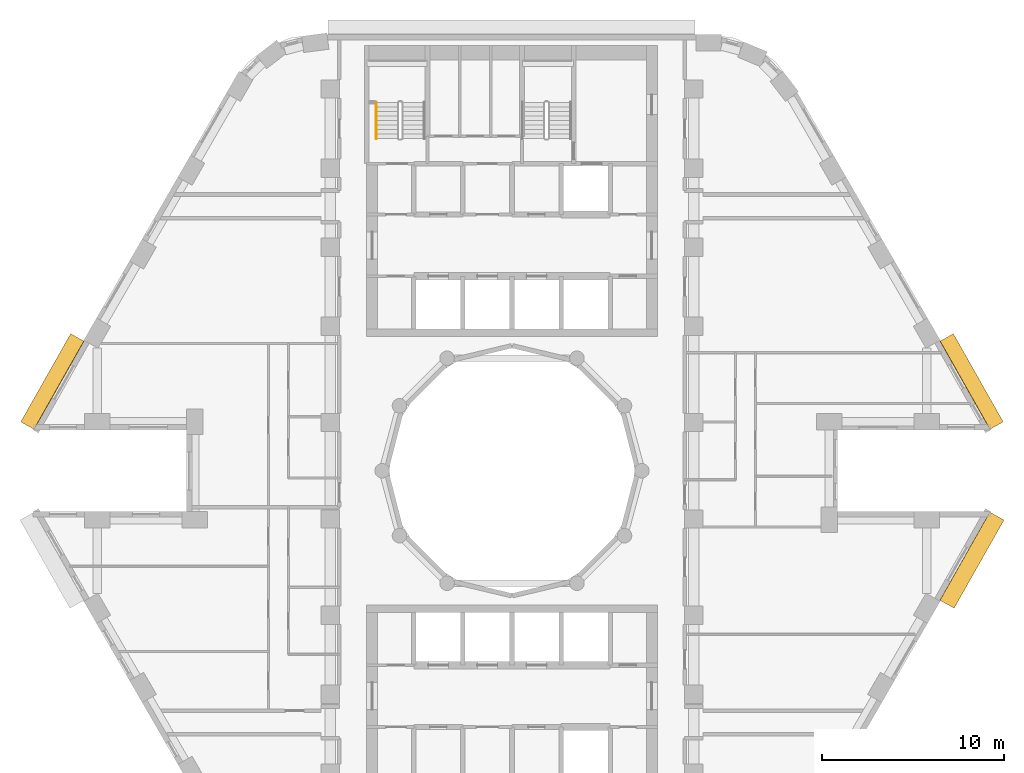
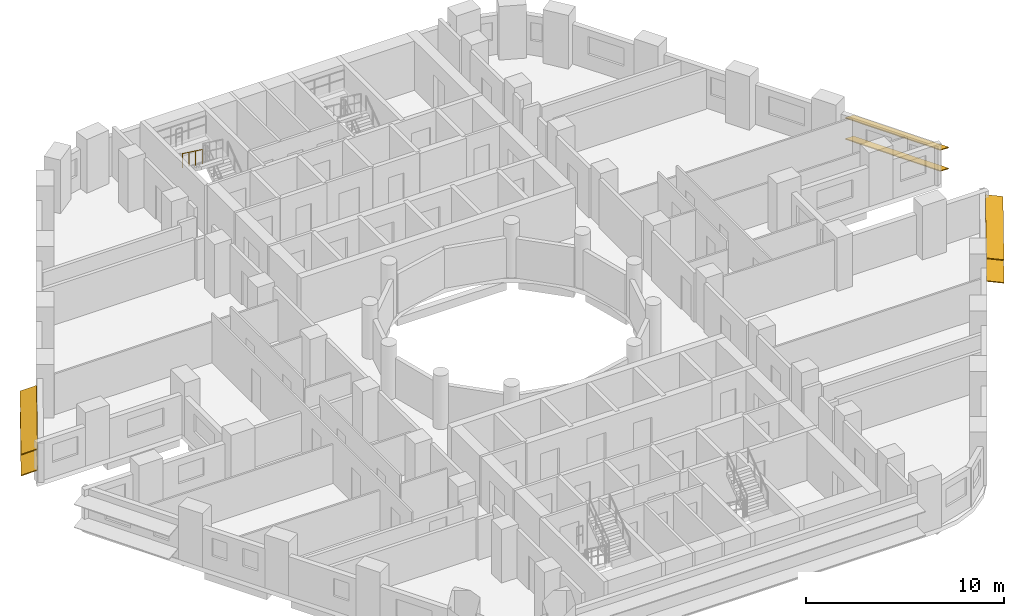
# One storey, part 11 of 12: 6 shading devices, 1 railing.
"""IFC4 building model written with IfcOpenShell, lengths in metres."""

from ifc_helpers import new_model, si_unit, direction, frame, origin, origin_2d, place, context, subcontext, project, spatial, rectangle, circle, extrude, material, material_profile, profile_set, type_object, element, save


model = new_model("IFC4")

# Units and contexts
model_context = context("Model", 3, precision=1e-05, world=origin(), true_north=direction((0.0, 1.0)))
body_context = subcontext(model_context, "Body", "Model", "MODEL_VIEW")
ifc_project = project(units=[si_unit("LENGTHUNIT", "METRE"), si_unit("AREAUNIT", "SQUARE_METRE"), si_unit("VOLUMEUNIT", "CUBIC_METRE"), si_unit("PLANEANGLEUNIT", "RADIAN"), si_unit("MASSUNIT", "GRAM", prefix="KILO")], contexts=[model_context])

# Site, building, storey
site_placement = place(None, origin())
site = spatial("IfcSite", under=ifc_project, at=site_placement, CompositionType="ELEMENT")
building_placement = place(site_placement, origin())
building = spatial("IfcBuilding", under=site, at=building_placement, Name="Nakaniwa Court", CompositionType="ELEMENT")
storey_placement = place(building_placement, frame((0.0, 0.0, 97.5)))
storey = spatial("IfcBuildingStorey", under=building, at=storey_placement, Name="L25", CompositionType="ELEMENT", Elevation=97.5)

# Shading devices
ifc_material_1 = material(Name="Perforated charcoal ceramic louvre blade")
ifc_material_profile = material_profile(ifc_material_1, rectangle(XDim=0.89990234375, YDim=0.050048828125, at=origin_2d()), Name="Perforated ceramic louvre blade")
ifc_profile_set = profile_set([ifc_material_profile], Name="Perforated charcoal ceramic louvre blade")
shading_device_type = type_object("IfcShadingDeviceType", Name="Perforated ceramic louvre blade", PredefinedType="JALOUSIE", material=ifc_profile_set)
for number, where, z_axis, x_axis, name in (
    (1, (106.662353515625, 82.480224609375, 0.550048828125), (-0.492438058427, 0.870347493024, 0.0), (-0.804676322539, -0.455281653718, 0.38107037635), "L25 perforated ceramic louvre blade w02 1"),
    (2, (106.662353515625, 82.480224609375, 1.845458984375), (-0.492438058427, 0.870347493024, 0.0), (-0.804676322539, -0.455281653718, 0.38107037635), "L25 perforated ceramic louvre blade w02 2"),
    (3, (56.083740234375, 87.333740234375, 0.550048828125), (-0.492438058427, -0.870347493024, 0.0), (0.804676322539, -0.455281653718, 0.38107037635), "L25 perforated ceramic louvre blade w14 1"),
    (4, (56.083740234375, 87.333740234375, 1.845458984375), (-0.492438058427, -0.870347493024, 0.0), (0.804676322539, -0.455281653718, 0.38107037635), "L25 perforated ceramic louvre blade w14 2"),
    (5, (103.93701171875, 72.654541015625, 0.550048828125), (0.492438058427, 0.870347493024, 0.0), (-0.862701960504, 0.488112256124, 0.132256390257), "L25 perforated ceramic louvre blade w32 1"),
    (6, (103.93701171875, 72.654541015625, 1.955810546875), (0.492438058427, 0.870347493024, 0.0), (-0.862701960504, 0.488112256124, 0.132256390257), "L25 perforated ceramic louvre blade w32 2"),
):
    element("IfcShadingDevice", number, at=place(storey_placement, frame(where, z_axis=z_axis, x_axis=x_axis)), inside=storey, type_object=shading_device_type, Name=name, PredefinedType="JALOUSIE", context=body_context, shape_type="SweptSolid", body=[
        extrude(rectangle(XDim=0.89990234375, YDim=0.050048828125, at=origin_2d()), origin(), (0.0, 0.0, 1.0), 5.576416015625),
    ])

# Railing
ifc_material_2 = material(Name="Black powder coated steel handrail", Category="steel")
railing_type = type_object("IfcRailingType", Name="Stair handrail 900", PredefinedType="HANDRAIL", material=ifc_material_2)
railing_placement = place(storey_placement, frame((72.52490234375, 100.27490234375, 1.833251953125)))
element("IfcRailing", 7, at=railing_placement, inside=storey, type_object=railing_type, Name="L25 ST1 stair handrail 2", PredefinedType="HANDRAIL", context=body_context, shape_type="SweptSolid", body=[
    extrude(circle(Radius=0.02392578125, at=origin_2d()), frame((0.0, 0.0, 0.8759765625), z_axis=(0.0, -0.806379959628, 0.591397802423), x_axis=(1.0, 0.0, 0.0)), (0.0, 0.0, 1.0), 2.480224609375),
    extrude(circle(Radius=0.02099609375, at=origin_2d()), origin(), (0.0, 0.0, 1.0), 0.851806640625),
    extrude(circle(Radius=0.02099609375, at=origin_2d()), frame((0.0, -0.666748046875, 0.489013671875)), (0.0, 0.0, 1.0), 0.851806640625),
    extrude(circle(Radius=0.02099609375, at=origin_2d()), frame((0.0, -1.333251953125, 0.977783203125)), (0.0, 0.0, 1.0), 0.851806640625),
    extrude(circle(Radius=0.02099609375, at=origin_2d()), frame((0.0, -2.0, 1.466796875)), (0.0, 0.0, 1.0), 0.851806640625),
])

save(model, "model.ifc")
